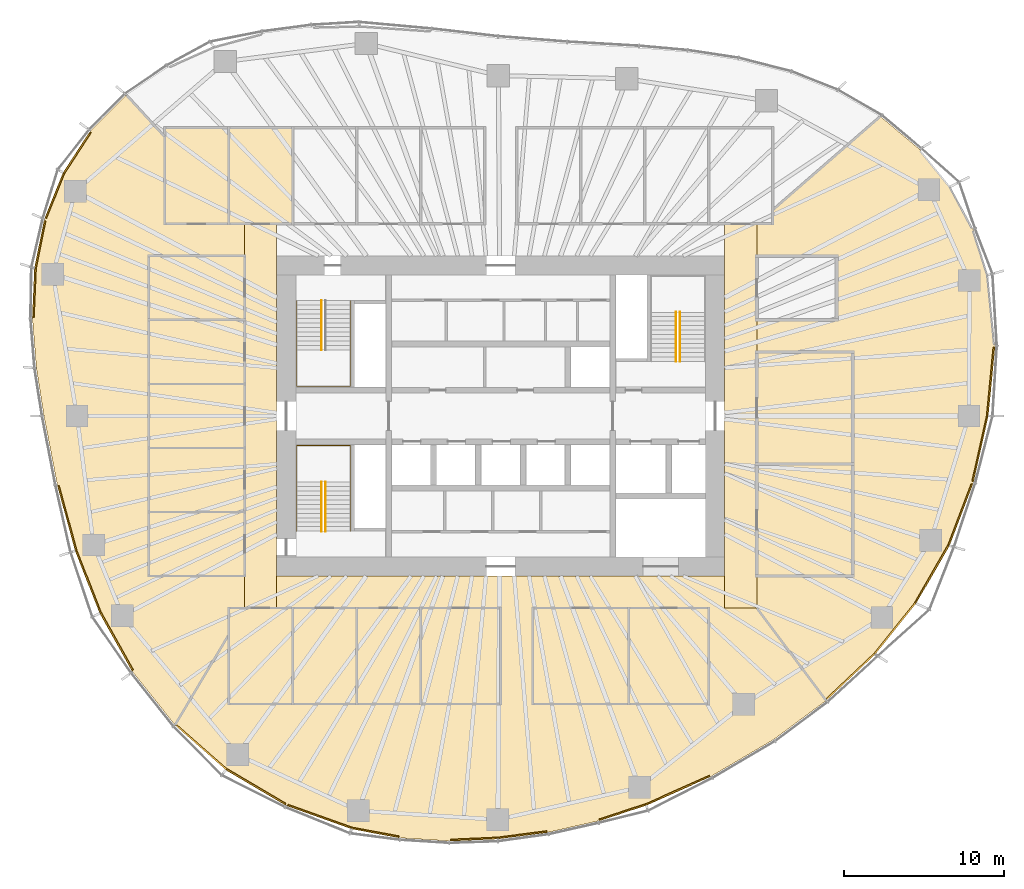
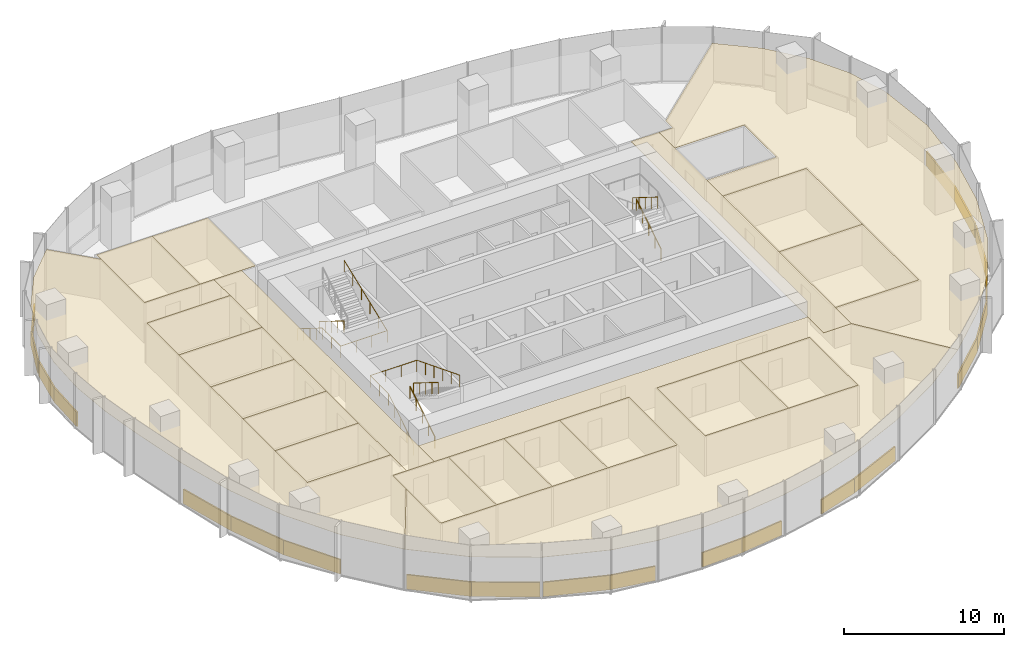
# One storey, part 17 of 18: 41 coverings, 7 railings.
"""IFC4 building model written with IfcOpenShell, lengths in metres."""

import ifcopenshell
import ifcopenshell.guid

model = None  # the IFC model being written
_history = None  # IfcOwnerHistory: only IFC2X3 demands one
_inside = {}  # id of a spatial element -> (the spatial element, [elements in it])
_under = {}  # id of a project, library or spatial element -> (it, [spatial elements below it])
_declared = {}  # id of a project -> (the project, [libraries it declares])
_typed = {}  # id of a type object -> (the type object, [elements of that type])
_made_of = {}  # id of a material, layer set ... -> (it, [elements and type objects made of it])


def new_model(schema):
    """Start an empty IFC model of exactly this schema.

    Asked for "IFC4X3", IfcOpenShell would pick the latest addendum, in which some entities
    have other attributes; the version numbers below select the first issue.
    IFC2X3 requires an IfcOwnerHistory on every rooted entity: one is made here for all.
    """
    global model, _history
    if schema == "IFC4X3":
        model = ifcopenshell.file(schema_version=(4, 3, 0, 0))
    else:
        model = ifcopenshell.file(schema=schema)
    _inside.clear()
    _under.clear()
    _declared.clear()
    _typed.clear()
    _made_of.clear()
    _history = None
    if model.schema == "IFC2X3":
        org = make("IfcOrganization", Name="unknown")
        user = make(
            "IfcPersonAndOrganization",
            ThePerson=make("IfcPerson", FamilyName="unknown"),
            TheOrganization=org,
        )
        app = make(
            "IfcApplication",
            ApplicationDeveloper=org,
            Version="unknown",
            ApplicationFullName="unknown",
            ApplicationIdentifier="unknown",
        )
        _history = make(
            "IfcOwnerHistory",
            OwningUser=user,
            OwningApplication=app,
            ChangeAction="ADDED",
            CreationDate=0,
        )
    return model


def make(cls, **values):
    """One entity of the class cls with the attributes given. An attribute that is None is left unset."""
    return model.create_entity(
        cls, **{name: value for name, value in values.items() if value is not None}
    )


def rooted(cls, **values):
    """An entity with a GlobalId (a new one), such as an element, a storey or a relation."""
    return make(cls, GlobalId=ifcopenshell.guid.new(), OwnerHistory=_history, **values)


def si_unit(unit_type, name, prefix=None):
    """IfcSIUnit, for example si_unit("LENGTHUNIT", "METRE", prefix="MILLI")."""
    return make("IfcSIUnit", UnitType=unit_type, Prefix=prefix, Name=name)


def assignment(units):
    """IfcUnitAssignment: the units of a project."""
    return None if units is None else make("IfcUnitAssignment", Units=units)


def point(xyz):
    """IfcCartesianPoint."""
    return None if xyz is None else make("IfcCartesianPoint", Coordinates=xyz)


def direction(xyz):
    """IfcDirection."""
    return None if xyz is None else make("IfcDirection", DirectionRatios=xyz)


def frame(location, z_axis=None, x_axis=None):
    """IfcAxis2Placement3D, a coordinate frame: its origin and axes. An axis left out is left unset."""
    return make(
        "IfcAxis2Placement3D",
        Location=point(location),
        Axis=direction(z_axis),
        RefDirection=direction(x_axis),
    )


def frame_2d(location, x_axis=None):
    """IfcAxis2Placement2D, a coordinate frame in the plane: its origin and x axis."""
    return make(
        "IfcAxis2Placement2D", Location=point(location), RefDirection=direction(x_axis)
    )


def origin():
    """The frame at (0, 0, 0) with its axes left unset."""
    return frame((0.0, 0.0, 0.0))


def origin_2d():
    """The frame at (0, 0) in the plane with its x axis left unset."""
    return frame_2d((0.0, 0.0))


def place(relative_to, where):
    """IfcLocalPlacement: puts the frame where relative to a parent placement (None: the world)."""
    return make(
        "IfcLocalPlacement", PlacementRelTo=relative_to, RelativePlacement=where
    )


def context(
    kind, dimensions, precision=None, world=None, true_north=None, identifier=None
):
    """IfcGeometricRepresentationContext, for example the 3D "Model" context."""
    return make(
        "IfcGeometricRepresentationContext",
        ContextIdentifier=identifier,
        ContextType=kind,
        CoordinateSpaceDimension=dimensions,
        Precision=precision,
        WorldCoordinateSystem=world,
        TrueNorth=true_north,
    )


def subcontext(parent, identifier, kind, view, scale=None):
    """IfcGeometricRepresentationSubContext, for example "Body" below "Model"."""
    return make(
        "IfcGeometricRepresentationSubContext",
        ContextIdentifier=identifier,
        ContextType=kind,
        ParentContext=parent,
        TargetScale=scale,
        TargetView=view,
    )


def project(units=None, contexts=None):
    """IfcProject with its units and contexts."""
    return rooted(
        "IfcProject",
        Name="project",
        RepresentationContexts=contexts,
        UnitsInContext=assignment(units),
    )


def spatial(cls, under=None, at=None, **own):
    """A site, building, storey or space (cls), placed at a placement, below another one or the project."""
    s = rooted(cls, ObjectPlacement=at, **own)
    if under is not None:
        _under.setdefault(under.id(), (under, []))[1].append(s)
    return s


def polyline(points):
    """IfcPolyline through the points."""
    return make("IfcPolyline", Points=[point(p) for p in points])


def profile(cls, at=None, kind="AREA", **sizes):
    """A parametric profile (cls). Its sizes go by their IFC names, for example OverallWidth=200.0."""
    return make(cls, ProfileType=kind, Position=at, **sizes)


def rectangle(**sizes):
    """IfcRectangleProfileDef."""
    return profile("IfcRectangleProfileDef", **sizes)


def circle(**sizes):
    """IfcCircleProfileDef."""
    return profile("IfcCircleProfileDef", **sizes)


def outline(outer, holes=None, kind="AREA"):
    """IfcArbitraryClosedProfileDef: a profile drawn as a closed curve; with holes, ...WithVoids."""
    if holes is None:
        return make("IfcArbitraryClosedProfileDef", ProfileType=kind, OuterCurve=outer)
    return make(
        "IfcArbitraryProfileDefWithVoids",
        ProfileType=kind,
        OuterCurve=outer,
        InnerCurves=holes,
    )


def extrude(swept, where, along, depth):
    """IfcExtrudedAreaSolid: the profile swept, set in the frame where, extruded along a direction by depth."""
    return make(
        "IfcExtrudedAreaSolid",
        SweptArea=swept,
        Position=where,
        ExtrudedDirection=direction(along),
        Depth=depth,
    )


def shape(context_of_items, identifier, shape_type, items):
    """IfcShapeRepresentation: the items that make up one representation, for example the "Body"."""
    return make(
        "IfcShapeRepresentation",
        ContextOfItems=context_of_items,
        RepresentationIdentifier=identifier,
        RepresentationType=shape_type,
        Items=items,
    )


def material(Name=None, Category=None):
    """IfcMaterial."""
    return make("IfcMaterial", Name=Name, Category=Category)


def layer(
    of_material, thickness, ventilated=None, Name=None, Category=None, Priority=None
):
    """IfcMaterialLayer: one layer of a wall or slab, of a material (None: an air gap)."""
    return make(
        "IfcMaterialLayer",
        Material=of_material,
        LayerThickness=thickness,
        IsVentilated=ventilated,
        Name=Name,
        Category=Category,
        Priority=Priority,
    )


def layer_set(layers, Name=None):
    """IfcMaterialLayerSet."""
    return make("IfcMaterialLayerSet", MaterialLayers=layers, LayerSetName=Name)


def made_of(thing, what):
    """Note that an element or type object is made of a material, layer set ...; save() writes the relation."""
    if what is not None:
        _made_of.setdefault(what.id(), (what, []))[1].append(thing)
    return thing


def type_object(cls, material=None, **own):
    """A type object (cls), such as IfcWallType, which elements share."""
    return made_of(rooted(cls, **own), material)


def element(
    cls,
    number,
    at=None,
    inside=None,
    cuts=None,
    type_object=None,
    material=None,
    context=None,
    identifier="Body",
    shape_type=None,
    held_by="IfcProductDefinitionShape",
    body=None,
    shapes=None,
    **own,
):
    """One element of the class cls, such as IfcWall. Its Tag is "e" and its number.

    at: its placement. inside: the storey or other place that contains it. cuts: it is an
    opening in that element (IfcRelVoidsElement). A single representation is given by context,
    identifier, shape_type and body (its items); several are given by shapes. held_by: the class
    of the entity that holds the representations. save() writes the other relations.
    """
    e = rooted(cls, Tag="e%d" % number, ObjectPlacement=at, **own)
    if body is not None:
        shapes = [shape(context, identifier, shape_type, body)]
    if shapes is not None:
        e.Representation = make(held_by, Representations=shapes)
    if inside is not None:
        _inside.setdefault(inside.id(), (inside, []))[1].append(e)
    if cuts is not None:
        rooted(
            "IfcRelVoidsElement", RelatingBuildingElement=cuts, RelatedOpeningElement=e
        )
    if type_object is not None:
        _typed.setdefault(type_object.id(), (type_object, []))[1].append(e)
    return made_of(e, material)


def aggregate(whole, parts):
    """IfcRelAggregates: a whole, such as a stair, and the parts it consists of."""
    return rooted("IfcRelAggregates", RelatingObject=whole, RelatedObjects=parts)


def save(model, path):
    """Write the relations noted so far, then the file.

    IfcRelAggregates (storeys below a building ...), IfcRelContainedInSpatialStructure (elements
    in a storey), IfcRelDefinesByType, IfcRelAssociatesMaterial and IfcRelDeclares: one each for
    every whole, place, type object, material and project.
    """
    for whole, parts in _under.values():
        aggregate(whole, parts)
    for where, things in _inside.values():
        rooted(
            "IfcRelContainedInSpatialStructure",
            RelatedElements=things,
            RelatingStructure=where,
        )
    for kind, things in _typed.values():
        rooted("IfcRelDefinesByType", RelatedObjects=things, RelatingType=kind)
    for what, things in _made_of.values():
        rooted("IfcRelAssociatesMaterial", RelatedObjects=things, RelatingMaterial=what)
    for by, libraries in _declared.values():
        rooted("IfcRelDeclares", RelatingContext=by, RelatedDefinitions=libraries)
    model.write(path)


model = new_model("IFC4")

# Units and contexts
model_context = context("Model", 3, precision=1e-05, world=origin(), true_north=direction((0.0, 1.0)))
body_context = subcontext(model_context, "Body", "Model", "MODEL_VIEW")
ifc_project = project(units=[si_unit("LENGTHUNIT", "METRE"), si_unit("AREAUNIT", "SQUARE_METRE"), si_unit("VOLUMEUNIT", "CUBIC_METRE"), si_unit("PLANEANGLEUNIT", "RADIAN"), si_unit("MASSUNIT", "GRAM", prefix="KILO")], contexts=[model_context])

# Site, building, storey
site_placement = place(None, origin())
site = spatial("IfcSite", under=ifc_project, at=site_placement, CompositionType="ELEMENT")
building_placement = place(site_placement, origin())
building = spatial("IfcBuilding", under=site, at=building_placement, Name="Ghaith Harvest Tower", CompositionType="ELEMENT")
storey_placement = place(building_placement, frame((0.0, 0.0, 168.0)))
storey = spatial("IfcBuildingStorey", under=building, at=storey_placement, Name="L36", CompositionType="ELEMENT", Elevation=168.0)

# Coverings
ifc_material_1 = material(Name="Mineral fibre ceiling tile", Category="gypsum")
ifc_layer_1 = layer(ifc_material_1, 0.02001953125)
ifc_layer_set_1 = layer_set([ifc_layer_1], Name="CEILING C1")
covering_type_1 = type_object("IfcCoveringType", Name="CEILING C1", PredefinedType="CEILING", material=ifc_layer_set_1)
covering_1_placement = place(storey_placement, frame((0.0, 0.0, 3.0)))
element("IfcCovering", 1, at=covering_1_placement, inside=storey, type_object=covering_type_1, Name="Ceiling L36-01", PredefinedType="CEILING", context=body_context, shape_type="SweptSolid", body=[
    extrude(outline(polyline([(-21.0, 12.0), (-17.0, 12.0), (-17.0, 18.0), (-21.0, 18.0), (-21.0, 12.0)])), origin(), (0.0, 0.0, 1.0), 0.02001953125),
])
covering_2_placement = place(storey_placement, frame((0.0, 0.0, 3.0)))
element("IfcCovering", 2, at=covering_2_placement, inside=storey, type_object=covering_type_1, Name="Ceiling L36-02", PredefinedType="CEILING", context=body_context, shape_type="SweptSolid", body=[
    extrude(outline(polyline([(-17.0, 12.0), (-13.0, 12.0), (-13.0, 18.0), (-17.0, 18.0), (-17.0, 12.0)])), origin(), (0.0, 0.0, 1.0), 0.02001953125),
])
covering_3_placement = place(storey_placement, frame((0.0, 0.0, 3.0)))
element("IfcCovering", 3, at=covering_3_placement, inside=storey, type_object=covering_type_1, Name="Ceiling L36-10", PredefinedType="CEILING", context=body_context, shape_type="SweptSolid", body=[
    extrude(outline(polyline([(16.0, -10.0), (22.0, -10.0), (22.0, -3.0), (16.0, -3.0), (16.0, -10.0)])), origin(), (0.0, 0.0, 1.0), 0.02001953125),
])
covering_4_placement = place(storey_placement, frame((0.0, 0.0, 3.0)))
element("IfcCovering", 4, at=covering_4_placement, inside=storey, type_object=covering_type_1, Name="Ceiling L36-11", PredefinedType="CEILING", context=body_context, shape_type="SweptSolid", body=[
    extrude(outline(polyline([(16.0, -3.0), (22.0, -3.0), (22.0, 4.0), (16.0, 4.0), (16.0, -3.0)])), origin(), (0.0, 0.0, 1.0), 0.02001953125),
])
covering_5_placement = place(storey_placement, frame((0.0, 0.0, 3.0)))
element("IfcCovering", 5, at=covering_5_placement, inside=storey, type_object=covering_type_1, Name="Ceiling L36-12", PredefinedType="CEILING", context=body_context, shape_type="SweptSolid", body=[
    extrude(outline(polyline([(-17.0, -18.0), (-13.0, -18.0), (-13.0, -12.0), (-17.0, -12.0), (-17.0, -18.0)])), origin(), (0.0, 0.0, 1.0), 0.02001953125),
])
covering_6_placement = place(storey_placement, frame((0.0, 0.0, 3.0)))
element("IfcCovering", 6, at=covering_6_placement, inside=storey, type_object=covering_type_1, Name="Ceiling L36-13", PredefinedType="CEILING", context=body_context, shape_type="SweptSolid", body=[
    extrude(outline(polyline([(-13.0, -18.0), (-9.0, -18.0), (-9.0, -12.0), (-13.0, -12.0), (-13.0, -18.0)])), origin(), (0.0, 0.0, 1.0), 0.02001953125),
])
covering_7_placement = place(storey_placement, frame((0.0, 0.0, 3.0)))
element("IfcCovering", 7, at=covering_7_placement, inside=storey, type_object=covering_type_1, Name="Ceiling L36-14", PredefinedType="CEILING", context=body_context, shape_type="SweptSolid", body=[
    extrude(outline(polyline([(-9.0, -18.0), (-5.0, -18.0), (-5.0, -12.0), (-9.0, -12.0), (-9.0, -18.0)])), origin(), (0.0, 0.0, 1.0), 0.02001953125),
])
covering_8_placement = place(storey_placement, frame((0.0, 0.0, 3.0)))
element("IfcCovering", 8, at=covering_8_placement, inside=storey, type_object=covering_type_1, Name="Ceiling L36-15", PredefinedType="CEILING", context=body_context, shape_type="SweptSolid", body=[
    extrude(outline(polyline([(-5.0, -18.0), (0.0, -18.0), (0.0, -12.0), (-5.0, -12.0), (-5.0, -18.0)])), origin(), (0.0, 0.0, 1.0), 0.02001953125),
])
covering_9_placement = place(storey_placement, frame((0.0, 0.0, 3.0)))
element("IfcCovering", 9, at=covering_9_placement, inside=storey, type_object=covering_type_1, Name="Ceiling L36-16", PredefinedType="CEILING", context=body_context, shape_type="SweptSolid", body=[
    extrude(outline(polyline([(2.0, -18.0), (8.0, -18.0), (8.0, -12.0), (2.0, -12.0), (2.0, -18.0)])), origin(), (0.0, 0.0, 1.0), 0.02001953125),
])
covering_10_placement = place(storey_placement, frame((0.0, 0.0, 3.0)))
element("IfcCovering", 10, at=covering_10_placement, inside=storey, type_object=covering_type_1, Name="Ceiling L36-17", PredefinedType="CEILING", context=body_context, shape_type="SweptSolid", body=[
    extrude(outline(polyline([(8.0, -18.0), (13.0, -18.0), (13.0, -12.0), (8.0, -12.0), (8.0, -18.0)])), origin(), (0.0, 0.0, 1.0), 0.02001953125),
])
covering_11_placement = place(storey_placement, frame((0.0, 0.0, 3.0)))
element("IfcCovering", 11, at=covering_11_placement, inside=storey, type_object=covering_type_1, Name="Ceiling L36-18", PredefinedType="CEILING", context=body_context, shape_type="SweptSolid", body=[
    extrude(outline(polyline([(-22.0, -10.0), (-16.0, -10.0), (-16.0, -6.0), (-22.0, -6.0), (-22.0, -10.0)])), origin(), (0.0, 0.0, 1.0), 0.02001953125),
])
covering_12_placement = place(storey_placement, frame((0.0, 0.0, 3.0)))
element("IfcCovering", 12, at=covering_12_placement, inside=storey, type_object=covering_type_1, Name="Ceiling L36-19", PredefinedType="CEILING", context=body_context, shape_type="SweptSolid", body=[
    extrude(outline(polyline([(-22.0, -6.0), (-16.0, -6.0), (-16.0, -2.0), (-22.0, -2.0), (-22.0, -6.0)])), origin(), (0.0, 0.0, 1.0), 0.02001953125),
])
covering_13_placement = place(storey_placement, frame((0.0, 0.0, 3.0)))
element("IfcCovering", 13, at=covering_13_placement, inside=storey, type_object=covering_type_1, Name="Ceiling L36-20", PredefinedType="CEILING", context=body_context, shape_type="SweptSolid", body=[
    extrude(outline(polyline([(-22.0, -2.0), (-16.0, -2.0), (-16.0, 2.0), (-22.0, 2.0), (-22.0, -2.0)])), origin(), (0.0, 0.0, 1.0), 0.02001953125),
])
covering_14_placement = place(storey_placement, frame((0.0, 0.0, 3.0)))
element("IfcCovering", 14, at=covering_14_placement, inside=storey, type_object=covering_type_1, Name="Ceiling L36-21", PredefinedType="CEILING", context=body_context, shape_type="SweptSolid", body=[
    extrude(outline(polyline([(-22.0, 2.0), (-16.0, 2.0), (-16.0, 6.0), (-22.0, 6.0), (-22.0, 2.0)])), origin(), (0.0, 0.0, 1.0), 0.02001953125),
])
covering_15_placement = place(storey_placement, frame((0.0, 0.0, 3.0)))
element("IfcCovering", 15, at=covering_15_placement, inside=storey, type_object=covering_type_1, Name="Ceiling L36-22", PredefinedType="CEILING", context=body_context, shape_type="SweptSolid", body=[
    extrude(outline(polyline([(-22.0, 6.0), (-16.0, 6.0), (-16.0, 10.0), (-22.0, 10.0), (-22.0, 6.0)])), origin(), (0.0, 0.0, 1.0), 0.02001953125),
])
covering_16_placement = place(storey_placement, frame((0.0, 0.0, 3.0)))
element("IfcCovering", 16, at=covering_16_placement, inside=storey, type_object=covering_type_1, Name="Ceiling L36-C1", PredefinedType="CEILING", context=body_context, shape_type="SweptSolid", body=[
    extrude(outline(polyline([(14.0, -12.0), (14.0, 12.0), (16.0, 12.0), (16.0, -12.0), (14.0, -12.0)])), origin(), (0.0, 0.0, 1.0), 0.02001953125),
])
covering_17_placement = place(storey_placement, frame((0.0, 0.0, 3.0)))
element("IfcCovering", 17, at=covering_17_placement, inside=storey, type_object=covering_type_1, Name="Ceiling L36-C2", PredefinedType="CEILING", context=body_context, shape_type="SweptSolid", body=[
    extrude(outline(polyline([(-14.0, 12.0), (-14.0, -12.0), (-16.0, -12.0), (-16.0, 12.0), (-14.0, 12.0)])), origin(), (0.0, 0.0, 1.0), 0.02001953125),
])
covering_18_placement = place(storey_placement, frame((0.0, 0.0, 3.0)))
element("IfcCovering", 18, at=covering_18_placement, inside=storey, type_object=covering_type_1, Name="Ceiling L36-E1", PredefinedType="CEILING", context=body_context, shape_type="SweptSolid", body=[
    extrude(outline(polyline([(26.179443359375, 16.660888671875), (28.0888671875, 14.32568359375), (29.52294921875, 11.671875), (30.439208984375, 8.797607421875), (30.8798828125, 4.373046875), (30.458740234375, 0.0), (29.527099609375, -4.181396484375), (28.03125, -8.1015625), (25.94775390625, -11.714111328125), (23.400390625, -14.89208984375), (20.33935546875, -17.784912109375), (16.0, -12.0), (16.0, -10.0), (22.0, -10.0), (22.0, 4.0), (16.0, 4.0), (16.0, 6.0), (21.0, 6.0), (21.0, 10.0), (16.0, 10.0), (16.0, 12.0), (17.0, 12.0), (17.0, 12.869384765625), (23.7275390625, 18.718017578125), (26.179443359375, 16.660888671875)])), origin(), (0.0, 0.0, 1.0), 0.02001953125),
])
covering_19_placement = place(storey_placement, frame((0.0, 0.0, 3.0)))
element("IfcCovering", 19, at=covering_19_placement, inside=storey, type_object=covering_type_1, Name="Ceiling L36-S1", PredefinedType="CEILING", context=body_context, shape_type="SweptSolid", body=[
    extrude(outline(polyline([(17.054443359375, -20.22412109375), (13.163818359375, -22.510498046875), (9.09423828125, -24.326904296875), (6.09228515625, -25.308837890625), (2.99609375, -26.010009765625), (-0.180908203125, -26.423583984375), (-3.204833984375, -26.556884765625), (-6.2666015625, -26.366455078125), (-9.317138671875, -25.79638671875), (-13.4052734375, -24.33740234375), (-17.1728515625, -22.11181640625), (-20.35400390625, -19.31396484375), (-17.0, -13.6796875), (-17.0, -18.0), (0.0, -18.0), (0.0, -12.0), (-14.0, -12.0), (-14.0, -10.0), (14.0, -10.0), (14.0, -12.0), (16.0, -12.0), (20.33935546875, -17.784912109375), (17.054443359375, -20.22412109375)]), holes=[polyline([(2.0, -18.0), (13.0, -18.0), (13.0, -12.0), (2.0, -12.0), (2.0, -18.0)])]), origin(), (0.0, 0.0, 1.0), 0.02001953125),
])
covering_20_placement = place(storey_placement, frame((0.0, 0.0, 3.0)))
element("IfcCovering", 20, at=covering_20_placement, inside=storey, type_object=covering_type_1, Name="Ceiling L36-W1", PredefinedType="CEILING", context=body_context, shape_type="SweptSolid", body=[
    extrude(outline(polyline([(-28.506591796875, 12.29638671875), (-27.33837890625, 15.204833984375), (-25.61962890625, 17.826416015625), (-23.398193359375, 20.06103515625), (-21.0, 17.447998046875), (-21.0, 12.0), (-16.0, 12.0), (-16.0, 10.0), (-22.0, 10.0), (-22.0, -10.0), (-16.0, -10.0), (-16.0, -12.0), (-17.0, -12.0), (-17.0, -13.6796875), (-20.35400390625, -19.31396484375), (-22.99169921875, -15.997802734375), (-25.046875, -12.32861328125), (-26.580078125, -8.423583984375), (-27.70947265625, -4.285888671875), (-28.541259765625, 0.0), (-29.01171875, 2.978271484375), (-29.260498046875, 6.07177734375), (-29.12646484375, 9.230712890625), (-28.506591796875, 12.29638671875)])), origin(), (0.0, 0.0, 1.0), 0.02001953125),
])

# Railings
ifc_material_2 = material(Name="Steel, black powder-coated", Category="steel")
railing_type = type_object("IfcRailingType", Name="HANDRAIL HR1", PredefinedType="HANDRAIL", material=ifc_material_2)
railing_1_placement = place(storey_placement, frame((-11.199951171875, 7.199951171875, 0.175048828125)))
element("IfcRailing", 21, at=railing_1_placement, inside=storey, type_object=railing_type, Name="Handrail HR1 stair ST1 L36 flight 1 inner", PredefinedType="HANDRAIL", context=body_context, shape_type="SweptSolid", body=[
    extrude(circle(Radius=0.02392578125, at=origin_2d()), frame((0.0, 0.0, 0.8759765625), z_axis=(0.0, -0.847979421464, 0.530029150871), x_axis=(1.0, 0.0, 0.0)), (0.0, 0.0, 1.0), 3.632080078125),
    extrude(circle(Radius=0.02099609375, at=origin_2d()), origin(), (0.0, 0.0, 1.0), 0.851806640625),
    extrude(circle(Radius=0.02099609375, at=origin_2d()), frame((0.0, -0.77001953125, 0.481201171875)), (0.0, 0.0, 1.0), 0.851806640625),
    extrude(circle(Radius=0.02099609375, at=origin_2d()), frame((0.0, -1.5400390625, 0.96240234375)), (0.0, 0.0, 1.0), 0.851806640625),
    extrude(circle(Radius=0.02099609375, at=origin_2d()), frame((0.0, -2.309814453125, 1.44384765625)), (0.0, 0.0, 1.0), 0.851806640625),
    extrude(circle(Radius=0.02099609375, at=origin_2d()), frame((0.0, -3.079833984375, 1.925048828125)), (0.0, 0.0, 1.0), 0.851806640625),
])
railing_2_placement = place(storey_placement, frame((-12.75, 7.199951171875, 0.175048828125)))
element("IfcRailing", 22, at=railing_2_placement, inside=storey, type_object=railing_type, Name="Handrail HR1 stair ST1 L36 wall side", PredefinedType="HANDRAIL", context=body_context, shape_type="SweptSolid", body=[
    extrude(circle(Radius=0.02392578125, at=origin_2d()), frame((0.0, 0.0, 0.8759765625), z_axis=(0.0, -0.847979421464, 0.530029150871), x_axis=(1.0, 0.0, 0.0)), (0.0, 0.0, 1.0), 3.632080078125),
    extrude(circle(Radius=0.02392578125, at=origin_2d()), frame((0.0, -3.079833984375, 2.80078125), z_axis=(0.0, -1.0, 0.0), x_axis=(1.0, 0.0, 0.0)), (0.0, 0.0, 1.0), 2.27001953125),
    extrude(circle(Radius=0.02392578125, at=origin_2d()), frame((0.0, -5.349853515625, 2.80078125), z_axis=(1.0, 0.0, 0.0), x_axis=(0.0, 1.0, 0.0)), (0.0, 0.0, 1.0), 3.35009765625),
    extrude(circle(Radius=0.02392578125, at=origin_2d()), frame((3.35009765625, -5.349853515625, 2.80078125), z_axis=(0.0, 0.930862461605, 0.365369781968), x_axis=(-1.0, 0.0, 0.0)), (0.0, 0.0, 1.0), 5.747314453125),
    extrude(circle(Radius=0.02099609375, at=origin_2d()), origin(), (0.0, 0.0, 1.0), 0.851806640625),
    extrude(circle(Radius=0.02099609375, at=origin_2d()), frame((0.0, -0.77001953125, 0.481201171875)), (0.0, 0.0, 1.0), 0.851806640625),
    extrude(circle(Radius=0.02099609375, at=origin_2d()), frame((0.0, -1.5400390625, 0.96240234375)), (0.0, 0.0, 1.0), 0.851806640625),
    extrude(circle(Radius=0.02099609375, at=origin_2d()), frame((0.0, -2.309814453125, 1.44384765625)), (0.0, 0.0, 1.0), 0.851806640625),
    extrude(circle(Radius=0.02099609375, at=origin_2d()), frame((0.0, -3.079833984375, 1.925048828125)), (0.0, 0.0, 1.0), 0.851806640625),
    extrude(circle(Radius=0.02099609375, at=origin_2d()), frame((0.0, -4.21484375, 1.925048828125)), (0.0, 0.0, 1.0), 0.851806640625),
    extrude(circle(Radius=0.02099609375, at=origin_2d()), frame((0.0, -5.349853515625, 1.925048828125)), (0.0, 0.0, 1.0), 0.851806640625),
    extrude(circle(Radius=0.02099609375, at=origin_2d()), frame((1.11669921875, -5.349853515625, 1.925048828125)), (0.0, 0.0, 1.0), 0.851806640625),
    extrude(circle(Radius=0.02099609375, at=origin_2d()), frame((2.2333984375, -5.349853515625, 1.925048828125)), (0.0, 0.0, 1.0), 0.851806640625),
    extrude(circle(Radius=0.02099609375, at=origin_2d()), frame((3.35009765625, -5.349853515625, 1.925048828125)), (0.0, 0.0, 1.0), 0.851806640625),
    extrude(circle(Radius=0.02099609375, at=origin_2d()), frame((3.35009765625, -4.27978515625, 2.344970703125)), (0.0, 0.0, 1.0), 0.851806640625),
    extrude(circle(Radius=0.02099609375, at=origin_2d()), frame((3.35009765625, -3.2099609375, 2.764892578125)), (0.0, 0.0, 1.0), 0.851806640625),
    extrude(circle(Radius=0.02099609375, at=origin_2d()), frame((3.35009765625, -2.139892578125, 3.18505859375)), (0.0, 0.0, 1.0), 0.851806640625),
    extrude(circle(Radius=0.02099609375, at=origin_2d()), frame((3.35009765625, -1.070068359375, 3.60498046875)), (0.0, 0.0, 1.0), 0.851806640625),
    extrude(circle(Radius=0.02099609375, at=origin_2d()), frame((3.35009765625, 0.0, 4.02490234375)), (0.0, 0.0, 1.0), 0.851806640625),
])
railing_3_placement = place(storey_placement, frame((-11.199951171875, -7.199951171875, 0.175048828125)))
element("IfcRailing", 23, at=railing_3_placement, inside=storey, type_object=railing_type, Name="Handrail HR1 stair ST3 L36 flight 1 inner", PredefinedType="HANDRAIL", context=body_context, shape_type="SweptSolid", body=[
    extrude(circle(Radius=0.02392578125, at=origin_2d()), frame((0.0, 0.0, 0.8759765625), z_axis=(0.0, 0.847979421464, 0.530029150871), x_axis=(-1.0, 0.0, 0.0)), (0.0, 0.0, 1.0), 3.632080078125),
    extrude(circle(Radius=0.02099609375, at=origin_2d()), origin(), (0.0, 0.0, 1.0), 0.851806640625),
    extrude(circle(Radius=0.02099609375, at=origin_2d()), frame((0.0, 0.77001953125, 0.481201171875)), (0.0, 0.0, 1.0), 0.851806640625),
    extrude(circle(Radius=0.02099609375, at=origin_2d()), frame((0.0, 1.5400390625, 0.96240234375)), (0.0, 0.0, 1.0), 0.851806640625),
    extrude(circle(Radius=0.02099609375, at=origin_2d()), frame((0.0, 2.309814453125, 1.44384765625)), (0.0, 0.0, 1.0), 0.851806640625),
    extrude(circle(Radius=0.02099609375, at=origin_2d()), frame((0.0, 3.079833984375, 1.925048828125)), (0.0, 0.0, 1.0), 0.851806640625),
])
railing_4_placement = place(storey_placement, frame((-10.949951171875, -4.1201171875, 2.27490234375)))
element("IfcRailing", 24, at=railing_4_placement, inside=storey, type_object=railing_type, Name="Handrail HR1 stair ST3 L36 flight 2 inner", PredefinedType="HANDRAIL", context=body_context, shape_type="SweptSolid", body=[
    extrude(circle(Radius=0.02392578125, at=origin_2d()), frame((0.0, 0.0, 0.8759765625), z_axis=(0.0, -0.847979421464, 0.530029150871), x_axis=(1.0, 0.0, 0.0)), (0.0, 0.0, 1.0), 3.632080078125),
    extrude(circle(Radius=0.02099609375, at=origin_2d()), origin(), (0.0, 0.0, 1.0), 0.851806640625),
    extrude(circle(Radius=0.02099609375, at=origin_2d()), frame((0.0, -0.77001953125, 0.481201171875)), (0.0, 0.0, 1.0), 0.851806640625),
    extrude(circle(Radius=0.02099609375, at=origin_2d()), frame((0.0, -1.5400390625, 0.96240234375)), (0.0, 0.0, 1.0), 0.851806640625),
    extrude(circle(Radius=0.02099609375, at=origin_2d()), frame((0.0, -2.309814453125, 1.44384765625)), (0.0, 0.0, 1.0), 0.851806640625),
    extrude(circle(Radius=0.02099609375, at=origin_2d()), frame((0.0, -3.079833984375, 1.925048828125)), (0.0, 0.0, 1.0), 0.851806640625),
])
railing_5_placement = place(storey_placement, frame((-12.75, -7.199951171875, 0.175048828125)))
element("IfcRailing", 25, at=railing_5_placement, inside=storey, type_object=railing_type, Name="Handrail HR1 stair ST3 L36 wall side", PredefinedType="HANDRAIL", context=body_context, shape_type="SweptSolid", body=[
    extrude(circle(Radius=0.02392578125, at=origin_2d()), frame((0.0, 0.0, 0.8759765625), z_axis=(0.0, 0.847979421464, 0.530029150871), x_axis=(-1.0, 0.0, 0.0)), (0.0, 0.0, 1.0), 3.632080078125),
    extrude(circle(Radius=0.02392578125, at=origin_2d()), frame((0.0, 3.079833984375, 2.80078125), z_axis=(0.0, 1.0, 0.0), x_axis=(-1.0, 0.0, 0.0)), (0.0, 0.0, 1.0), 2.27001953125),
    extrude(circle(Radius=0.02392578125, at=origin_2d()), frame((0.0, 5.349853515625, 2.80078125), z_axis=(1.0, 0.0, 0.0), x_axis=(0.0, 1.0, 0.0)), (0.0, 0.0, 1.0), 3.35009765625),
    extrude(circle(Radius=0.02392578125, at=origin_2d()), frame((3.35009765625, 5.349853515625, 2.80078125), z_axis=(0.0, -0.930862461605, 0.365369781968), x_axis=(1.0, 0.0, 0.0)), (0.0, 0.0, 1.0), 5.747314453125),
    extrude(circle(Radius=0.02099609375, at=origin_2d()), origin(), (0.0, 0.0, 1.0), 0.851806640625),
    extrude(circle(Radius=0.02099609375, at=origin_2d()), frame((0.0, 0.77001953125, 0.481201171875)), (0.0, 0.0, 1.0), 0.851806640625),
    extrude(circle(Radius=0.02099609375, at=origin_2d()), frame((0.0, 1.5400390625, 0.96240234375)), (0.0, 0.0, 1.0), 0.851806640625),
    extrude(circle(Radius=0.02099609375, at=origin_2d()), frame((0.0, 2.309814453125, 1.44384765625)), (0.0, 0.0, 1.0), 0.851806640625),
    extrude(circle(Radius=0.02099609375, at=origin_2d()), frame((0.0, 3.079833984375, 1.925048828125)), (0.0, 0.0, 1.0), 0.851806640625),
    extrude(circle(Radius=0.02099609375, at=origin_2d()), frame((0.0, 4.21484375, 1.925048828125)), (0.0, 0.0, 1.0), 0.851806640625),
    extrude(circle(Radius=0.02099609375, at=origin_2d()), frame((0.0, 5.349853515625, 1.925048828125)), (0.0, 0.0, 1.0), 0.851806640625),
    extrude(circle(Radius=0.02099609375, at=origin_2d()), frame((1.11669921875, 5.349853515625, 1.925048828125)), (0.0, 0.0, 1.0), 0.851806640625),
    extrude(circle(Radius=0.02099609375, at=origin_2d()), frame((2.2333984375, 5.349853515625, 1.925048828125)), (0.0, 0.0, 1.0), 0.851806640625),
    extrude(circle(Radius=0.02099609375, at=origin_2d()), frame((3.35009765625, 5.349853515625, 1.925048828125)), (0.0, 0.0, 1.0), 0.851806640625),
    extrude(circle(Radius=0.02099609375, at=origin_2d()), frame((3.35009765625, 4.27978515625, 2.344970703125)), (0.0, 0.0, 1.0), 0.851806640625),
    extrude(circle(Radius=0.02099609375, at=origin_2d()), frame((3.35009765625, 3.2099609375, 2.764892578125)), (0.0, 0.0, 1.0), 0.851806640625),
    extrude(circle(Radius=0.02099609375, at=origin_2d()), frame((3.35009765625, 2.139892578125, 3.18505859375)), (0.0, 0.0, 1.0), 0.851806640625),
    extrude(circle(Radius=0.02099609375, at=origin_2d()), frame((3.35009765625, 1.070068359375, 3.60498046875)), (0.0, 0.0, 1.0), 0.851806640625),
    extrude(circle(Radius=0.02099609375, at=origin_2d()), frame((3.35009765625, 0.0, 4.02490234375)), (0.0, 0.0, 1.0), 0.851806640625),
])
railing_6_placement = place(storey_placement, frame((11.199951171875, 3.39990234375, 0.175048828125)))
element("IfcRailing", 26, at=railing_6_placement, inside=storey, type_object=railing_type, Name="Handrail HR1 stair ST2 L36 flight 1 inner", PredefinedType="HANDRAIL", context=body_context, shape_type="SweptSolid", body=[
    extrude(circle(Radius=0.02392578125, at=origin_2d()), frame((0.0, 0.0, 0.8759765625), z_axis=(0.0, 0.847998304005, 0.529998940003), x_axis=(-1.0, 0.0, 0.0)), (0.0, 0.0, 1.0), 3.632080078125),
    extrude(circle(Radius=0.02099609375, at=origin_2d()), origin(), (0.0, 0.0, 1.0), 0.851806640625),
    extrude(circle(Radius=0.02099609375, at=origin_2d()), frame((0.0, 0.77001953125, 0.481201171875)), (0.0, 0.0, 1.0), 0.851806640625),
    extrude(circle(Radius=0.02099609375, at=origin_2d()), frame((0.0, 1.5400390625, 0.96240234375)), (0.0, 0.0, 1.0), 0.851806640625),
    extrude(circle(Radius=0.02099609375, at=origin_2d()), frame((0.0, 2.31005859375, 1.44384765625)), (0.0, 0.0, 1.0), 0.851806640625),
    extrude(circle(Radius=0.02099609375, at=origin_2d()), frame((0.0, 3.080078125, 1.925048828125)), (0.0, 0.0, 1.0), 0.851806640625),
])
railing_7_placement = place(storey_placement, frame((10.949951171875, 6.47998046875, 2.27490234375)))
element("IfcRailing", 27, at=railing_7_placement, inside=storey, type_object=railing_type, Name="Handrail HR1 stair ST2 L36 flight 2 inner", PredefinedType="HANDRAIL", context=body_context, shape_type="SweptSolid", body=[
    extrude(circle(Radius=0.02392578125, at=origin_2d()), frame((0.0, 0.0, 0.8759765625), z_axis=(0.0, -0.847998304005, 0.529998940003), x_axis=(1.0, 0.0, 0.0)), (0.0, 0.0, 1.0), 3.632080078125),
    extrude(circle(Radius=0.02099609375, at=origin_2d()), origin(), (0.0, 0.0, 1.0), 0.851806640625),
    extrude(circle(Radius=0.02099609375, at=origin_2d()), frame((0.0, -0.77001953125, 0.481201171875)), (0.0, 0.0, 1.0), 0.851806640625),
    extrude(circle(Radius=0.02099609375, at=origin_2d()), frame((0.0, -1.5400390625, 0.96240234375)), (0.0, 0.0, 1.0), 0.851806640625),
    extrude(circle(Radius=0.02099609375, at=origin_2d()), frame((0.0, -2.31005859375, 1.44384765625)), (0.0, 0.0, 1.0), 0.851806640625),
    extrude(circle(Radius=0.02099609375, at=origin_2d()), frame((0.0, -3.080078125, 1.925048828125)), (0.0, 0.0, 1.0), 0.851806640625),
])

# Coverings
ifc_material_3 = material(Name="Insulated aluminium spandrel panel on steel framing", Category="steel")
ifc_layer_2 = layer(ifc_material_3, 0.10009765625)
ifc_layer_set_2 = layer_set([ifc_layer_2], Name="SLAB EDGE UPSTAND 1100x100")
covering_type_2 = type_object("IfcCoveringType", Name="SLAB EDGE UPSTAND 1100x100", PredefinedType="CLADDING", material=ifc_layer_set_2)
covering_21_placement = place(storey_placement, frame((30.61474609375, 2.1416015625, 0.0), z_axis=(0.0, 0.0, 1.0), x_axis=(0.095861332319, 0.99539469808, 0.0)))
element("IfcCovering", 28, at=covering_21_placement, inside=storey, type_object=covering_type_2, Name="Slab edge upstand 1 bay 01 L36", PredefinedType="CLADDING", context=body_context, shape_type="SweptSolid", body=[
    extrude(rectangle(XDim=4.293212890625, YDim=0.10009765625, at=origin_2d()), origin(), (0.0, 0.0, 1.0), 1.10009765625),
])
covering_22_placement = place(storey_placement, frame((-26.464599609375, 16.4462890625, 0.0), z_axis=(0.0, 0.0, 1.0), x_axis=(-0.548312211554, -0.836273710373, 0.0)))
element("IfcCovering", 29, at=covering_22_placement, inside=storey, type_object=covering_type_2, Name="Slab edge upstand 1 bay 09 L36", PredefinedType="CLADDING", context=body_context, shape_type="SweptSolid", body=[
    extrude(rectangle(XDim=3.03466796875, YDim=0.10009765625, at=origin_2d()), origin(), (0.0, 0.0, 1.0), 1.10009765625),
])
covering_23_placement = place(storey_placement, frame((-27.857421875, 13.7783203125, 0.0), z_axis=(0.0, 0.0, 1.0), x_axis=(-0.372732078847, -0.927939005215, 0.0)))
element("IfcCovering", 30, at=covering_23_placement, inside=storey, type_object=covering_type_2, Name="Slab edge upstand 2 bay 09 L36", PredefinedType="CLADDING", context=body_context, shape_type="SweptSolid", body=[
    extrude(rectangle(XDim=3.034423828125, YDim=0.10009765625, at=origin_2d()), origin(), (0.0, 0.0, 1.0), 1.10009765625),
])
covering_24_placement = place(storey_placement, frame((-28.777587890625, 10.70458984375, 0.0), z_axis=(0.0, 0.0, 1.0), x_axis=(-0.198182542943, -0.980165128778, 0.0)))
element("IfcCovering", 31, at=covering_24_placement, inside=storey, type_object=covering_type_2, Name="Slab edge upstand 3 bay 09 L36", PredefinedType="CLADDING", context=body_context, shape_type="SweptSolid", body=[
    extrude(rectangle(XDim=3.027587890625, YDim=0.10009765625, at=origin_2d()), origin(), (0.0, 0.0, 1.0), 1.10009765625),
])
covering_25_placement = place(storey_placement, frame((-29.141357421875, 7.69921875, 0.0), z_axis=(0.0, 0.0, 1.0), x_axis=(-0.042372799788, -0.9991018696, 0.0)))
element("IfcCovering", 32, at=covering_25_placement, inside=storey, type_object=covering_type_2, Name="Slab edge upstand 1 bay 10 L36", PredefinedType="CLADDING", context=body_context, shape_type="SweptSolid", body=[
    extrude(rectangle(XDim=3.061767578125, YDim=0.10009765625, at=origin_2d()), origin(), (0.0, 0.0, 1.0), 1.10009765625),
])
covering_26_placement = place(storey_placement, frame((-27.08349609375, -6.389892578125, 0.0), z_axis=(0.0, 0.0, 1.0), x_axis=(0.263287721652, -0.964717355305, 0.0)))
element("IfcCovering", 33, at=covering_26_placement, inside=storey, type_object=covering_type_2, Name="Slab edge upstand 2 bay 11 L36", PredefinedType="CLADDING", context=body_context, shape_type="SweptSolid", body=[
    extrude(rectangle(XDim=4.189208984375, YDim=0.10009765625, at=origin_2d()), origin(), (0.0, 0.0, 1.0), 1.10009765625),
])
covering_27_placement = place(storey_placement, frame((-25.76708984375, -10.35791015625, 0.0), z_axis=(0.0, 0.0, 1.0), x_axis=(0.365514970008, -0.930805461254, 0.0)))
element("IfcCovering", 34, at=covering_27_placement, inside=storey, type_object=covering_type_2, Name="Slab edge upstand 1 bay 12 L36", PredefinedType="CLADDING", context=body_context, shape_type="SweptSolid", body=[
    extrude(rectangle(XDim=4.195068359375, YDim=0.10009765625, at=origin_2d()), origin(), (0.0, 0.0, 1.0), 1.10009765625),
])
covering_28_placement = place(storey_placement, frame((-24.0, -14.09521484375, 0.0), z_axis=(0.0, 0.0, 1.0), x_axis=(0.488683758288, -0.872460993045, 0.0)))
element("IfcCovering", 35, at=covering_28_placement, inside=storey, type_object=covering_type_2, Name="Slab edge upstand 2 bay 12 L36", PredefinedType="CLADDING", context=body_context, shape_type="SweptSolid", body=[
    extrude(rectangle(XDim=4.10546875, YDim=0.10009765625, at=origin_2d()), origin(), (0.0, 0.0, 1.0), 1.10009765625),
])
covering_29_placement = place(storey_placement, frame((-18.69287109375, -20.70849609375, 0.0), z_axis=(0.0, 0.0, 1.0), x_axis=(0.75089221411, -0.660424774511, 0.0)))
element("IfcCovering", 36, at=covering_29_placement, inside=storey, type_object=covering_type_2, Name="Slab edge upstand 2 bay 13 L36", PredefinedType="CLADDING", context=body_context, shape_type="SweptSolid", body=[
    extrude(rectangle(XDim=4.136474609375, YDim=0.10009765625, at=origin_2d()), origin(), (0.0, 0.0, 1.0), 1.10009765625),
])
covering_30_placement = place(storey_placement, frame((-15.306640625, -23.15625, 0.0), z_axis=(0.0, 0.0, 1.0), x_axis=(0.861020519069, -0.508570217121, 0.0)))
element("IfcCovering", 37, at=covering_30_placement, inside=storey, type_object=covering_type_2, Name="Slab edge upstand 1 bay 14 L36", PredefinedType="CLADDING", context=body_context, shape_type="SweptSolid", body=[
    extrude(rectangle(XDim=4.27587890625, YDim=0.10009765625, at=origin_2d()), origin(), (0.0, 0.0, 1.0), 1.10009765625),
])
covering_31_placement = place(storey_placement, frame((-11.29736328125, -25.03662109375, 0.0), z_axis=(0.0, 0.0, 1.0), x_axis=(0.941807015649, -0.336154049915, 0.0)))
element("IfcCovering", 38, at=covering_31_placement, inside=storey, type_object=covering_type_2, Name="Slab edge upstand 2 bay 14 L36", PredefinedType="CLADDING", context=body_context, shape_type="SweptSolid", body=[
    extrude(rectangle(XDim=4.24072265625, YDim=0.10009765625, at=origin_2d()), origin(), (0.0, 0.0, 1.0), 1.10009765625),
])
covering_32_placement = place(storey_placement, frame((-7.831787109375, -26.023193359375, 0.0), z_axis=(0.0, 0.0, 1.0), x_axis=(0.982990071164, -0.183658705191, 0.0)))
element("IfcCovering", 39, at=covering_32_placement, inside=storey, type_object=covering_type_2, Name="Slab edge upstand 1 bay 15 L36", PredefinedType="CLADDING", context=body_context, shape_type="SweptSolid", body=[
    extrude(rectangle(XDim=3.003173828125, YDim=0.10009765625, at=origin_2d()), origin(), (0.0, 0.0, 1.0), 1.10009765625),
])
covering_33_placement = place(storey_placement, frame((-1.64501953125, -26.43798828125, 0.0), z_axis=(0.0, 0.0, 1.0), x_axis=(0.999029547734, 0.044045008275, 0.0)))
element("IfcCovering", 40, at=covering_33_placement, inside=storey, type_object=covering_type_2, Name="Slab edge upstand 3 bay 15 L36", PredefinedType="CLADDING", context=body_context, shape_type="SweptSolid", body=[
    extrude(rectangle(XDim=2.927001953125, YDim=0.10009765625, at=origin_2d()), origin(), (0.0, 0.0, 1.0), 1.10009765625),
])
covering_34_placement = place(storey_placement, frame((1.3515625, -26.173583984375, 0.0), z_axis=(0.0, 0.0, 1.0), x_axis=(0.991633707242, 0.129083657611, 0.0)))
element("IfcCovering", 41, at=covering_34_placement, inside=storey, type_object=covering_type_2, Name="Slab edge upstand 1 bay 16 L36", PredefinedType="CLADDING", context=body_context, shape_type="SweptSolid", body=[
    extrude(rectangle(XDim=3.103759765625, YDim=0.10009765625, at=origin_2d()), origin(), (0.0, 0.0, 1.0), 1.10009765625),
])
covering_35_placement = place(storey_placement, frame((7.625244140625, -24.754638671875, 0.0), z_axis=(0.0, 0.0, 1.0), x_axis=(0.950441392134, 0.310903779518, 0.0)))
element("IfcCovering", 42, at=covering_35_placement, inside=storey, type_object=covering_type_2, Name="Slab edge upstand 3 bay 16 L36", PredefinedType="CLADDING", context=body_context, shape_type="SweptSolid", body=[
    extrude(rectangle(XDim=3.05859375, YDim=0.10009765625, at=origin_2d()), origin(), (0.0, 0.0, 1.0), 1.10009765625),
])
covering_36_placement = place(storey_placement, frame((11.06298828125, -23.393310546875, 0.0), z_axis=(0.0, 0.0, 1.0), x_axis=(0.913170343632, 0.407578119519, 0.0)))
element("IfcCovering", 43, at=covering_36_placement, inside=storey, type_object=covering_type_2, Name="Slab edge upstand 1 bay 17 L36", PredefinedType="CLADDING", context=body_context, shape_type="SweptSolid", body=[
    extrude(rectangle(XDim=4.356689453125, YDim=0.10009765625, at=origin_2d()), origin(), (0.0, 0.0, 1.0), 1.10009765625),
])
covering_37_placement = place(storey_placement, frame((21.871826171875, -16.267822265625, 0.0), z_axis=(0.0, 0.0, 1.0), x_axis=(0.72680962062, 0.686838973395, 0.0)))
element("IfcCovering", 44, at=covering_37_placement, inside=storey, type_object=covering_type_2, Name="Slab edge upstand 2 bay 18 L36", PredefinedType="CLADDING", context=body_context, shape_type="SweptSolid", body=[
    extrude(rectangle(XDim=4.111572265625, YDim=0.10009765625, at=origin_2d()), origin(), (0.0, 0.0, 1.0), 1.10009765625),
])
covering_38_placement = place(storey_placement, frame((24.635009765625, -13.27197265625, 0.0), z_axis=(0.0, 0.0, 1.0), x_axis=(0.625468377377, 0.780249517079, 0.0)))
element("IfcCovering", 45, at=covering_38_placement, inside=storey, type_object=covering_type_2, Name="Slab edge upstand 1 bay 19 L36", PredefinedType="CLADDING", context=body_context, shape_type="SweptSolid", body=[
    extrude(rectangle(XDim=4.072998046875, YDim=0.10009765625, at=origin_2d()), origin(), (0.0, 0.0, 1.0), 1.10009765625),
])
covering_39_placement = place(storey_placement, frame((26.9462890625, -9.8828125, 0.0), z_axis=(0.0, 0.0, 1.0), x_axis=(0.499596169173, 0.866258430117, 0.0)))
element("IfcCovering", 46, at=covering_39_placement, inside=storey, type_object=covering_type_2, Name="Slab edge upstand 2 bay 19 L36", PredefinedType="CLADDING", context=body_context, shape_type="SweptSolid", body=[
    extrude(rectangle(XDim=4.170166015625, YDim=0.10009765625, at=origin_2d()), origin(), (0.0, 0.0, 1.0), 1.10009765625),
])
covering_40_placement = place(storey_placement, frame((28.714599609375, -6.17041015625, 0.0), z_axis=(0.0, 0.0, 1.0), x_axis=(0.356503850378, 0.934293853488, 0.0)))
element("IfcCovering", 47, at=covering_40_placement, inside=storey, type_object=covering_type_2, Name="Slab edge upstand 1 bay 20 L36", PredefinedType="CLADDING", context=body_context, shape_type="SweptSolid", body=[
    extrude(rectangle(XDim=4.095947265625, YDim=0.10009765625, at=origin_2d()), origin(), (0.0, 0.0, 1.0), 1.10009765625),
])
covering_41_placement = place(storey_placement, frame((29.955078125, -2.031005859375, 0.0), z_axis=(0.0, 0.0, 1.0), x_axis=(0.217466241983, 0.976067842723, 0.0)))
element("IfcCovering", 48, at=covering_41_placement, inside=storey, type_object=covering_type_2, Name="Slab edge upstand 2 bay 20 L36", PredefinedType="CLADDING", context=body_context, shape_type="SweptSolid", body=[
    extrude(rectangle(XDim=4.183837890625, YDim=0.10009765625, at=origin_2d()), origin(), (0.0, 0.0, 1.0), 1.10009765625),
])

save(model, "model.ifc")
